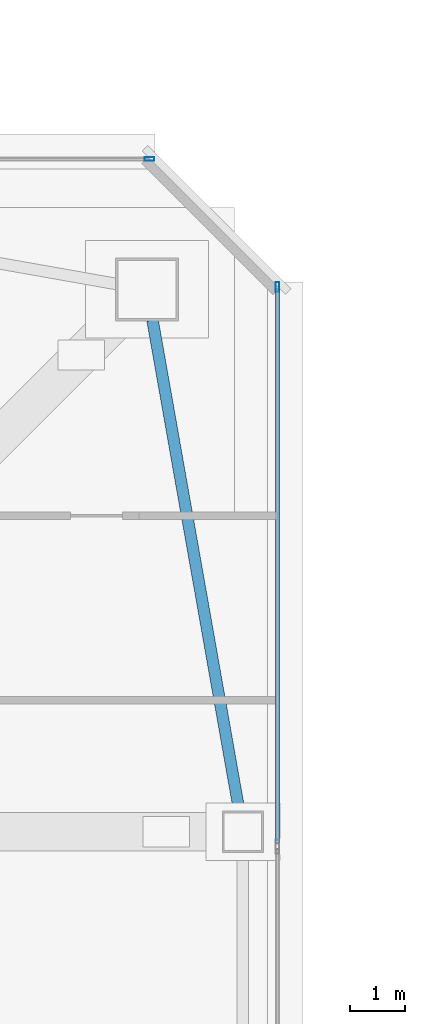
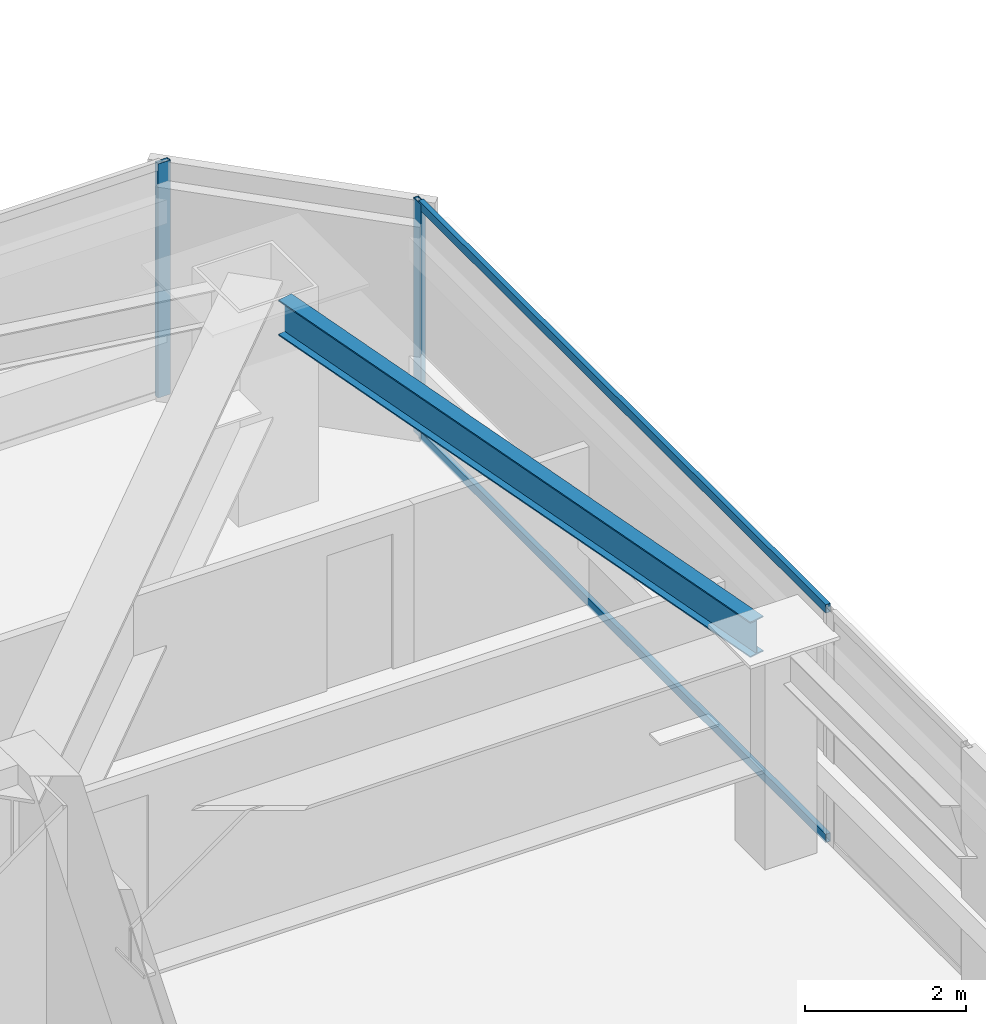
# One storey, part 15 of 42: 4 members, 1 beam, 2 elements without a shape of their own.
"""IFC4 building model written with IfcOpenShell, lengths in metres."""

import ifcopenshell
import ifcopenshell.guid

model = None  # the IFC model being written
_history = None  # IfcOwnerHistory: only IFC2X3 demands one
_inside = {}  # id of a spatial element -> (the spatial element, [elements in it])
_under = {}  # id of a project, library or spatial element -> (it, [spatial elements below it])
_declared = {}  # id of a project -> (the project, [libraries it declares])
_typed = {}  # id of a type object -> (the type object, [elements of that type])
_made_of = {}  # id of a material, layer set ... -> (it, [elements and type objects made of it])


def new_model(schema):
    """Start an empty IFC model of exactly this schema.

    Asked for "IFC4X3", IfcOpenShell would pick the latest addendum, in which some entities
    have other attributes; the version numbers below select the first issue.
    IFC2X3 requires an IfcOwnerHistory on every rooted entity: one is made here for all.
    """
    global model, _history
    if schema == "IFC4X3":
        model = ifcopenshell.file(schema_version=(4, 3, 0, 0))
    else:
        model = ifcopenshell.file(schema=schema)
    _inside.clear()
    _under.clear()
    _declared.clear()
    _typed.clear()
    _made_of.clear()
    _history = None
    if model.schema == "IFC2X3":
        org = make("IfcOrganization", Name="unknown")
        user = make(
            "IfcPersonAndOrganization",
            ThePerson=make("IfcPerson", FamilyName="unknown"),
            TheOrganization=org,
        )
        app = make(
            "IfcApplication",
            ApplicationDeveloper=org,
            Version="unknown",
            ApplicationFullName="unknown",
            ApplicationIdentifier="unknown",
        )
        _history = make(
            "IfcOwnerHistory",
            OwningUser=user,
            OwningApplication=app,
            ChangeAction="ADDED",
            CreationDate=0,
        )
    return model


def make(cls, **values):
    """One entity of the class cls with the attributes given. An attribute that is None is left unset."""
    return model.create_entity(
        cls, **{name: value for name, value in values.items() if value is not None}
    )


def rooted(cls, **values):
    """An entity with a GlobalId (a new one), such as an element, a storey or a relation."""
    return make(cls, GlobalId=ifcopenshell.guid.new(), OwnerHistory=_history, **values)


def si_unit(unit_type, name, prefix=None):
    """IfcSIUnit, for example si_unit("LENGTHUNIT", "METRE", prefix="MILLI")."""
    return make("IfcSIUnit", UnitType=unit_type, Prefix=prefix, Name=name)


def assignment(units):
    """IfcUnitAssignment: the units of a project."""
    return None if units is None else make("IfcUnitAssignment", Units=units)


def point(xyz):
    """IfcCartesianPoint."""
    return None if xyz is None else make("IfcCartesianPoint", Coordinates=xyz)


def direction(xyz):
    """IfcDirection."""
    return None if xyz is None else make("IfcDirection", DirectionRatios=xyz)


def frame(location, z_axis=None, x_axis=None):
    """IfcAxis2Placement3D, a coordinate frame: its origin and axes. An axis left out is left unset."""
    return make(
        "IfcAxis2Placement3D",
        Location=point(location),
        Axis=direction(z_axis),
        RefDirection=direction(x_axis),
    )


def frame_2d(location, x_axis=None):
    """IfcAxis2Placement2D, a coordinate frame in the plane: its origin and x axis."""
    return make(
        "IfcAxis2Placement2D", Location=point(location), RefDirection=direction(x_axis)
    )


def origin():
    """The frame at (0, 0, 0) with its axes left unset."""
    return frame((0.0, 0.0, 0.0))


def origin_2d():
    """The frame at (0, 0) in the plane with its x axis left unset."""
    return frame_2d((0.0, 0.0))


def place(relative_to, where):
    """IfcLocalPlacement: puts the frame where relative to a parent placement (None: the world)."""
    return make(
        "IfcLocalPlacement", PlacementRelTo=relative_to, RelativePlacement=where
    )


def context(
    kind, dimensions, precision=None, world=None, true_north=None, identifier=None
):
    """IfcGeometricRepresentationContext, for example the 3D "Model" context."""
    return make(
        "IfcGeometricRepresentationContext",
        ContextIdentifier=identifier,
        ContextType=kind,
        CoordinateSpaceDimension=dimensions,
        Precision=precision,
        WorldCoordinateSystem=world,
        TrueNorth=true_north,
    )


def subcontext(parent, identifier, kind, view, scale=None):
    """IfcGeometricRepresentationSubContext, for example "Body" below "Model"."""
    return make(
        "IfcGeometricRepresentationSubContext",
        ContextIdentifier=identifier,
        ContextType=kind,
        ParentContext=parent,
        TargetScale=scale,
        TargetView=view,
    )


def project(units=None, contexts=None):
    """IfcProject with its units and contexts."""
    return rooted(
        "IfcProject",
        Name="project",
        RepresentationContexts=contexts,
        UnitsInContext=assignment(units),
    )


def spatial(cls, under=None, at=None, **own):
    """A site, building, storey or space (cls), placed at a placement, below another one or the project."""
    s = rooted(cls, ObjectPlacement=at, **own)
    if under is not None:
        _under.setdefault(under.id(), (under, []))[1].append(s)
    return s


def profile(cls, at=None, kind="AREA", **sizes):
    """A parametric profile (cls). Its sizes go by their IFC names, for example OverallWidth=200.0."""
    return make(cls, ProfileType=kind, Position=at, **sizes)


def hollow_rectangle(**sizes):
    """IfcRectangleHollowProfileDef."""
    return profile("IfcRectangleHollowProfileDef", **sizes)


def i_section(**sizes):
    """IfcIShapeProfileDef."""
    return profile("IfcIShapeProfileDef", **sizes)


def extrude(swept, where, along, depth):
    """IfcExtrudedAreaSolid: the profile swept, set in the frame where, extruded along a direction by depth."""
    return make(
        "IfcExtrudedAreaSolid",
        SweptArea=swept,
        Position=where,
        ExtrudedDirection=direction(along),
        Depth=depth,
    )


def shape(context_of_items, identifier, shape_type, items):
    """IfcShapeRepresentation: the items that make up one representation, for example the "Body"."""
    return make(
        "IfcShapeRepresentation",
        ContextOfItems=context_of_items,
        RepresentationIdentifier=identifier,
        RepresentationType=shape_type,
        Items=items,
    )


def material(Name=None, Category=None):
    """IfcMaterial."""
    return make("IfcMaterial", Name=Name, Category=Category)


def material_profile(
    of_material, cross_section, Name=None, Category=None, Priority=None
):
    """IfcMaterialProfile: a cross section and its material."""
    return make(
        "IfcMaterialProfile",
        Name=Name,
        Material=of_material,
        Profile=cross_section,
        Priority=Priority,
        Category=Category,
    )


def profile_set(profiles, Name=None, composite=None):
    """IfcMaterialProfileSet."""
    return make(
        "IfcMaterialProfileSet",
        Name=Name,
        MaterialProfiles=profiles,
        CompositeProfile=composite,
    )


def made_of(thing, what):
    """Note that an element or type object is made of a material, layer set ...; save() writes the relation."""
    if what is not None:
        _made_of.setdefault(what.id(), (what, []))[1].append(thing)
    return thing


def type_object(cls, material=None, **own):
    """A type object (cls), such as IfcWallType, which elements share."""
    return made_of(rooted(cls, **own), material)


def element(
    cls,
    number,
    at=None,
    inside=None,
    cuts=None,
    type_object=None,
    material=None,
    context=None,
    identifier="Body",
    shape_type=None,
    held_by="IfcProductDefinitionShape",
    body=None,
    shapes=None,
    **own,
):
    """One element of the class cls, such as IfcWall. Its Tag is "e" and its number.

    at: its placement. inside: the storey or other place that contains it. cuts: it is an
    opening in that element (IfcRelVoidsElement). A single representation is given by context,
    identifier, shape_type and body (its items); several are given by shapes. held_by: the class
    of the entity that holds the representations. save() writes the other relations.
    """
    e = rooted(cls, Tag="e%d" % number, ObjectPlacement=at, **own)
    if body is not None:
        shapes = [shape(context, identifier, shape_type, body)]
    if shapes is not None:
        e.Representation = make(held_by, Representations=shapes)
    if inside is not None:
        _inside.setdefault(inside.id(), (inside, []))[1].append(e)
    if cuts is not None:
        rooted(
            "IfcRelVoidsElement", RelatingBuildingElement=cuts, RelatedOpeningElement=e
        )
    if type_object is not None:
        _typed.setdefault(type_object.id(), (type_object, []))[1].append(e)
    return made_of(e, material)


def aggregate(whole, parts):
    """IfcRelAggregates: a whole, such as a stair, and the parts it consists of."""
    return rooted("IfcRelAggregates", RelatingObject=whole, RelatedObjects=parts)


def save(model, path):
    """Write the relations noted so far, then the file.

    IfcRelAggregates (storeys below a building ...), IfcRelContainedInSpatialStructure (elements
    in a storey), IfcRelDefinesByType, IfcRelAssociatesMaterial and IfcRelDeclares: one each for
    every whole, place, type object, material and project.
    """
    for whole, parts in _under.values():
        aggregate(whole, parts)
    for where, things in _inside.values():
        rooted(
            "IfcRelContainedInSpatialStructure",
            RelatedElements=things,
            RelatingStructure=where,
        )
    for kind, things in _typed.values():
        rooted("IfcRelDefinesByType", RelatedObjects=things, RelatingType=kind)
    for what, things in _made_of.values():
        rooted("IfcRelAssociatesMaterial", RelatedObjects=things, RelatingMaterial=what)
    for by, libraries in _declared.values():
        rooted("IfcRelDeclares", RelatingContext=by, RelatedDefinitions=libraries)
    model.write(path)


model = new_model("IFC4")

# Units and contexts
model_context = context("Model", 3, precision=1e-05, world=origin(), true_north=direction((0.0, 1.0)))
body_context = subcontext(model_context, "Body", "Model", "MODEL_VIEW")
ifc_project = project(units=[si_unit("LENGTHUNIT", "METRE"), si_unit("AREAUNIT", "SQUARE_METRE"), si_unit("VOLUMEUNIT", "CUBIC_METRE"), si_unit("PLANEANGLEUNIT", "RADIAN"), si_unit("MASSUNIT", "GRAM", prefix="KILO")], contexts=[model_context])

# Site, building, storey
site_placement = place(None, origin())
site = spatial("IfcSite", under=ifc_project, at=site_placement, CompositionType="ELEMENT")
building_placement = place(site_placement, origin())
building = spatial("IfcBuilding", under=site, at=building_placement, Name="Tashvorn Skyway Center", CompositionType="ELEMENT")
storey_placement = place(building_placement, frame((0.0, 0.0, 196.050048828125)))
storey = spatial("IfcBuildingStorey", under=building, at=storey_placement, Name="L53", CompositionType="ELEMENT", Elevation=196.050048828125)

# Beam
ifc_material_1 = material(Name="Steel ASTM A992 Grade 50", Category="steel")
ifc_material_profile_1 = material_profile(ifc_material_1, i_section(OverallWidth=0.2109375, OverallDepth=0.5390625, WebThickness=0.01171875, FlangeThickness=0.018798828125, at=origin_2d()), Name="W21X73")
ifc_profile_set_1 = profile_set([ifc_material_profile_1], Name="Steel ASTM A992 Grade 50")
beam_type = type_object("IfcBeamType", Name="BM-SPANDREL-W21X73", PredefinedType="SPANDREL", material=ifc_profile_set_1)
beam_placement = place(storey_placement, frame((58.985595703125, 37.764404296875, 2.98046875), z_axis=(-0.174074160933, 0.984732545667, 0.0), x_axis=(-0.984732545667, -0.174074160933, 0.0)))
element("IfcBeam", 1, at=beam_placement, inside=storey, type_object=beam_type, Name="Tower 1 L53 Spandrel Beam 06", PredefinedType="SPANDREL", context=body_context, shape_type="SweptSolid", body=[
    extrude(i_section(OverallWidth=0.2109375, OverallDepth=0.5390625, WebThickness=0.01171875, FlangeThickness=0.018798828125, at=origin_2d()), origin(), (0.0, 0.0, 1.0), 9.113525390625),
])

# Curtain wall, member
ifc_material_2 = material(Name="Thermally broken bronze-anodized aluminium 6063-T6", Category="aluminium")
curtain_wall_type = type_object("IfcCurtainWallType", Name="CW-CW-Z4", PredefinedType="NOTDEFINED", material=ifc_material_2)
curtain_wall_1_placement = place(storey_placement, origin())
curtain_wall_1 = element("IfcCurtainWall", 2, at=curtain_wall_1_placement, inside=storey, type_object=curtain_wall_type, Name="Tower 1 L53 North Unitised Curtain Wall Glazing Group 4", PredefinedType="NOTDEFINED")
ifc_material_profile_2 = material_profile(ifc_material_2, hollow_rectangle(XDim=0.070068359375, YDim=0.179931640625, WallThickness=0.00390625, at=origin_2d()), Name="ALU-MULL-70x180")
ifc_profile_set_2 = profile_set([ifc_material_profile_2], Name="Thermally broken bronze-anodized aluminium 6063-T6")
member_type_1 = type_object("IfcMemberType", Name="CWM-CW-Z4", PredefinedType="MULLION", material=ifc_profile_set_2)
member_1_placement = place(storey_placement, frame((57.344970703125, 49.679931640625, 0.0), z_axis=(0.0, 0.0, 1.0), x_axis=(0.0, 1.0, 0.0)))
member_1 = element("IfcMember", 3, at=member_1_placement, type_object=member_type_1, Name="CW-Z4 mullion 2", PredefinedType="MULLION", context=body_context, shape_type="SweptSolid", body=[
    extrude(hollow_rectangle(XDim=0.070068359375, YDim=0.179931640625, WallThickness=0.00390625, at=origin_2d()), origin(), (0.0, 0.0, 1.0), 3.550048828125),
])
aggregate(curtain_wall_1, [member_1])

# Curtain wall, members
curtain_wall_2_placement = place(storey_placement, origin())
curtain_wall_2 = element("IfcCurtainWall", 4, at=curtain_wall_2_placement, inside=storey, type_object=curtain_wall_type, Name="Tower 1 L53 East Unitised Curtain Wall Glazing Group 1", PredefinedType="NOTDEFINED")
member_2_placement = place(storey_placement, frame((59.679931640625, 47.344970703125, 0.0), z_axis=(0.0, 0.0, 1.0), x_axis=(1.0, 0.0, 0.0)))
member_2 = element("IfcMember", 5, at=member_2_placement, type_object=member_type_1, Name="CW-Z4 mullion 1", PredefinedType="MULLION", context=body_context, shape_type="SweptSolid", body=[
    extrude(hollow_rectangle(XDim=0.070068359375, YDim=0.179931640625, WallThickness=0.00390625, at=origin_2d()), origin(), (0.0, 0.0, 1.0), 3.550048828125),
])
ifc_material_profile_3 = material_profile(ifc_material_2, hollow_rectangle(XDim=0.070068359375, YDim=0.1298828125, WallThickness=0.00390625, at=origin_2d()), Name="ALU-TRAN-70x130")
ifc_profile_set_3 = profile_set([ifc_material_profile_3], Name="Thermally broken bronze-anodized aluminium 6063-T6")
member_type_2 = type_object("IfcMemberType", Name="CWT-CW-Z4", PredefinedType="USERDEFINED", material=ifc_profile_set_3)
member_3_placement = place(storey_placement, frame((59.679931640625, 47.31005859375, 0.034912109375), z_axis=(0.0, -1.0, 0.0), x_axis=(1.0, 0.0, 0.0)))
member_3 = element("IfcMember", 6, at=member_3_placement, type_object=member_type_2, Name="CW-Z4 transom 1.1", ObjectType="TRANSOM", PredefinedType="USERDEFINED", context=body_context, shape_type="SweptSolid", body=[
    extrude(hollow_rectangle(XDim=0.070068359375, YDim=0.1298828125, WallThickness=0.00390625, at=origin_2d()), origin(), (0.0, 0.0, 1.0), 10.11328125),
])
member_4_placement = place(storey_placement, frame((59.679931640625, 47.31005859375, 3.514892578125), z_axis=(0.0, -1.0, 0.0), x_axis=(1.0, 0.0, 0.0)))
member_4 = element("IfcMember", 7, at=member_4_placement, type_object=member_type_2, Name="CW-Z4 transom 1.2", ObjectType="TRANSOM", PredefinedType="USERDEFINED", context=body_context, shape_type="SweptSolid", body=[
    extrude(hollow_rectangle(XDim=0.070068359375, YDim=0.1298828125, WallThickness=0.00390625, at=origin_2d()), origin(), (0.0, 0.0, 1.0), 10.11328125),
])
aggregate(curtain_wall_2, [member_2, member_3, member_4])

save(model, "model.ifc")
